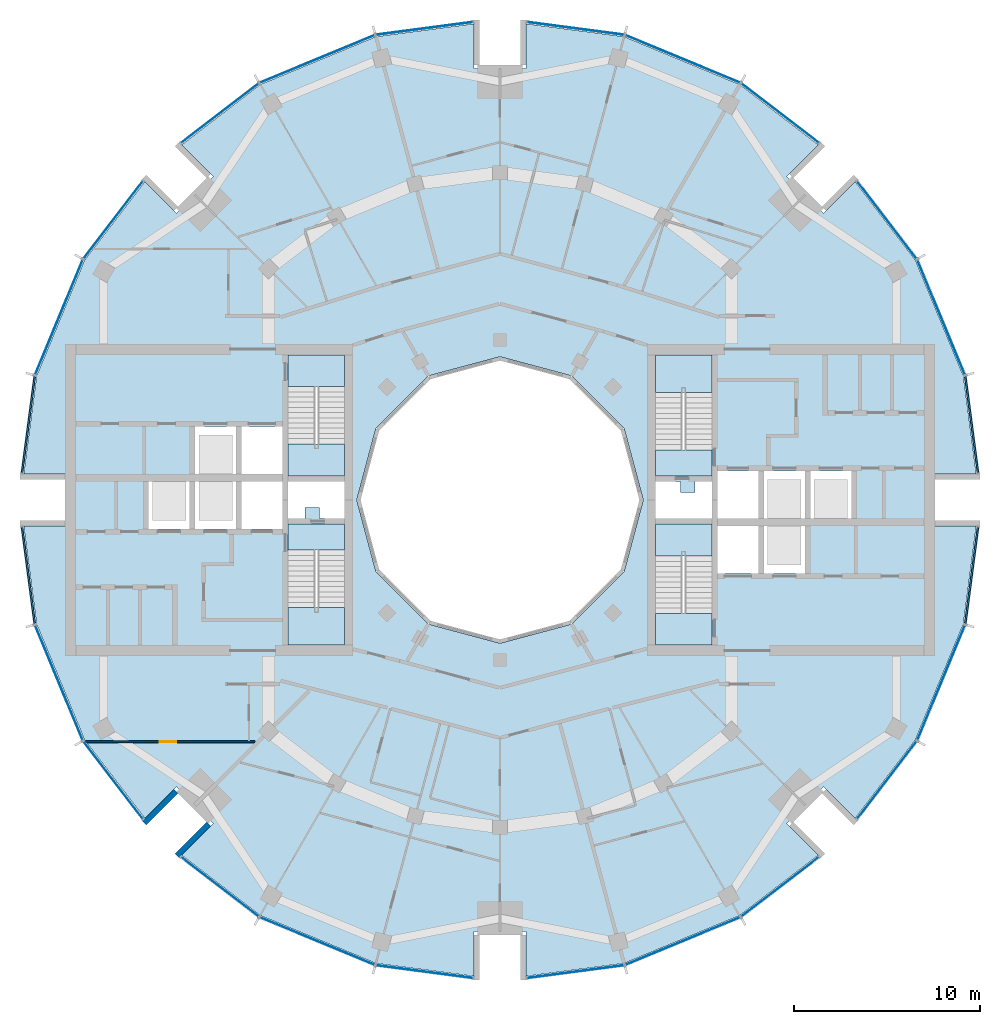
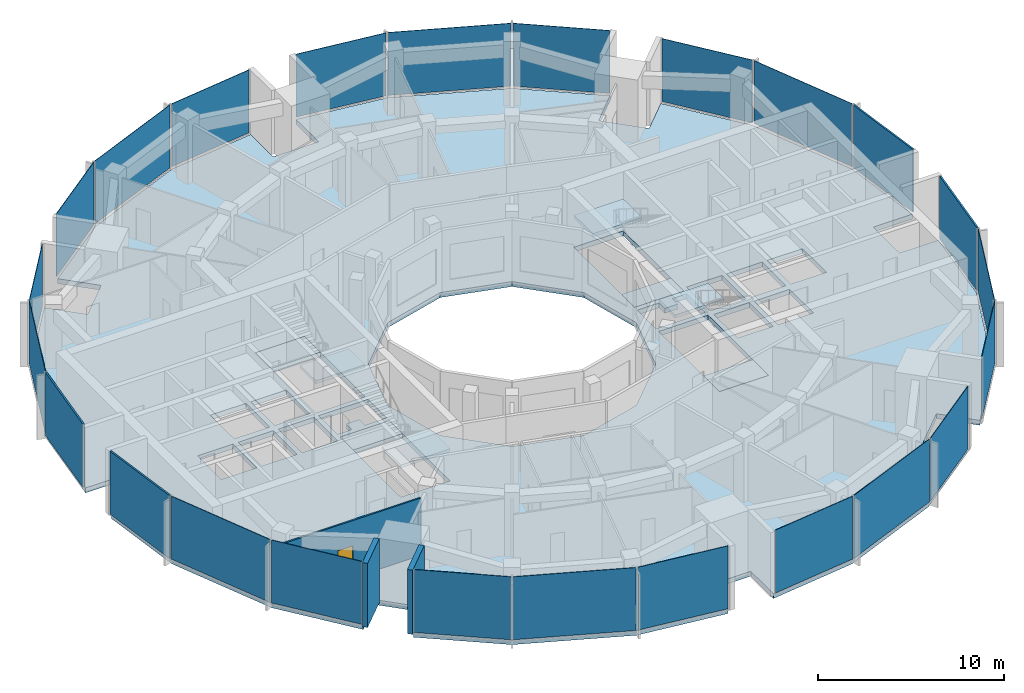
# One storey, part 7 of 15: 24 plates, 9 slabs, 3 walls, 1 door, 1 opening, 28 elements without a shape of their own.
"""IFC4 building model written with IfcOpenShell, lengths in metres."""

from ifc_helpers import new_model, si_unit, direction, frame, frame_2d, origin, origin_2d, place, context, subcontext, project, spatial, polyline, rectangle, outline, extrude, material, layer, layer_set, type_object, element, fill, aggregate, save


model = new_model("IFC4")

# Units and contexts
model_context = context("Model", 3, precision=1e-05, world=origin(), true_north=direction((0.0, 1.0)))
body_context = subcontext(model_context, "Body", "Model", "MODEL_VIEW")
ifc_project = project(units=[si_unit("LENGTHUNIT", "METRE"), si_unit("AREAUNIT", "SQUARE_METRE"), si_unit("VOLUMEUNIT", "CUBIC_METRE"), si_unit("PLANEANGLEUNIT", "RADIAN"), si_unit("MASSUNIT", "GRAM", prefix="KILO")], contexts=[model_context])

# Site, building, storey
site_placement = place(None, origin())
site = spatial("IfcSite", under=ifc_project, at=site_placement, CompositionType="ELEMENT")
building_placement = place(site_placement, origin())
building = spatial("IfcBuilding", under=site, at=building_placement, Name="Torre Brocal", CompositionType="ELEMENT")
storey_placement = place(building_placement, frame((0.0, 0.0, 249.89990234375)))
storey = spatial("IfcBuildingStorey", under=building, at=storey_placement, Name="L57", CompositionType="ELEMENT", Elevation=249.89990234375)

# Curtain wall, plate
ifc_material_1 = material(Name="Aluminium and glass", Category="aluminium")
ifc_layer_1 = layer(ifc_material_1, 0.199951171875)
ifc_layer_set_1 = layer_set([ifc_layer_1], Name="Aluminium and glass")
curtain_wall_type_1 = type_object("IfcCurtainWallType", Name="CW-1 CURTAIN WALL 4200 HIGH", PredefinedType="NOTDEFINED", material=ifc_layer_set_1)
curtain_wall_1_placement = place(storey_placement, origin())
curtain_wall_1 = element("IfcCurtainWall", 1, at=curtain_wall_1_placement, inside=storey, type_object=curtain_wall_type_1, Name="CW-1 RUN 2", PredefinedType="NOTDEFINED")
ifc_material_2 = material(Name="Glass, dark tinted laminated", Category="glass")
ifc_layer_2 = layer(ifc_material_2, 0.031982421875)
ifc_layer_set_2 = layer_set([ifc_layer_2], Name="Glass, dark tinted laminated")
plate_type_1 = type_object("IfcPlateType", Name="CW-1 GLASS PANEL 32", PredefinedType="CURTAIN_PANEL", material=ifc_layer_set_2)
plate_1_placement = place(storey_placement, frame((103.722900390625, 84.826416015625, 0.080078125), z_axis=(0.0, 0.0, 1.0), x_axis=(-0.382683432333, 0.923879532525, 0.0)))
plate_1 = element("IfcPlate", 2, at=plate_1_placement, type_object=plate_type_1, Name="CW1-5 panel 1.1", PredefinedType="CURTAIN_PANEL", context=body_context, shape_type="SweptSolid", body=[
    extrude(rectangle(XDim=6.64111328125, YDim=0.031982421875, at=origin_2d()), origin(), (0.0, 0.0, 1.0), 4.1201171875),
])
aggregate(curtain_wall_1, [plate_1])

curtain_wall_2_placement = place(storey_placement, origin())
curtain_wall_2 = element("IfcCurtainWall", 3, at=curtain_wall_2_placement, inside=storey, type_object=curtain_wall_type_1, Name="CW-1 RUN 3", PredefinedType="NOTDEFINED")
plate_2_placement = place(storey_placement, frame((100.80126953125, 90.0712890625, 0.080078125), z_axis=(0.0, 0.0, 1.0), x_axis=(-0.60876142905, 0.793353340259, 0.0)))
plate_2 = element("IfcPlate", 4, at=plate_2_placement, type_object=plate_type_1, Name="CW1-5 panel 1.1", PredefinedType="CURTAIN_PANEL", context=body_context, shape_type="SweptSolid", body=[
    extrude(rectangle(XDim=5.22900390625, YDim=0.031982421875, at=origin_2d()), origin(), (0.0, 0.0, 1.0), 4.1201171875),
])
aggregate(curtain_wall_2, [plate_2])

curtain_wall_3_placement = place(storey_placement, origin())
curtain_wall_3 = element("IfcCurtainWall", 5, at=curtain_wall_3_placement, inside=storey, type_object=curtain_wall_type_1, Name="CW-1 RUN 4", PredefinedType="NOTDEFINED")
plate_3_placement = place(storey_placement, frame((95.0712890625, 95.80126953125, 0.080078125), z_axis=(0.0, 0.0, 1.0), x_axis=(-0.793353340259, 0.60876142905, 0.0)))
plate_3 = element("IfcPlate", 6, at=plate_3_placement, type_object=plate_type_1, Name="CW1-5 panel 1.1", PredefinedType="CURTAIN_PANEL", context=body_context, shape_type="SweptSolid", body=[
    extrude(rectangle(XDim=5.22900390625, YDim=0.031982421875, at=origin_2d()), origin(), (0.0, 0.0, 1.0), 4.1201171875),
])
aggregate(curtain_wall_3, [plate_3])

curtain_wall_4_placement = place(storey_placement, origin())
curtain_wall_4 = element("IfcCurtainWall", 7, at=curtain_wall_4_placement, inside=storey, type_object=curtain_wall_type_1, Name="CW-1 RUN 5", PredefinedType="NOTDEFINED")
plate_4_placement = place(storey_placement, frame((89.826416015625, 98.722900390625, 0.080078125), z_axis=(0.0, 0.0, 1.0), x_axis=(-0.923879532525, 0.382683432333, 0.0)))
plate_4 = element("IfcPlate", 8, at=plate_4_placement, type_object=plate_type_1, Name="CW1-5 panel 1.1", PredefinedType="CURTAIN_PANEL", context=body_context, shape_type="SweptSolid", body=[
    extrude(rectangle(XDim=6.64111328125, YDim=0.031982421875, at=origin_2d()), origin(), (0.0, 0.0, 1.0), 4.1201171875),
])
aggregate(curtain_wall_4, [plate_4])

curtain_wall_5_placement = place(storey_placement, origin())
curtain_wall_5 = element("IfcCurtainWall", 9, at=curtain_wall_5_placement, inside=storey, type_object=curtain_wall_type_1, Name="CW-1 RUN 6", PredefinedType="NOTDEFINED")
plate_5_placement = place(storey_placement, frame((84.051513671875, 100.36572265625, 0.080078125), z_axis=(0.0, 0.0, 1.0), x_axis=(-0.991444861374, 0.13052619222, 0.0)))
plate_5 = element("IfcPlate", 10, at=plate_5_placement, type_object=plate_type_1, Name="CW1-5 panel 1.1", PredefinedType="CURTAIN_PANEL", context=body_context, shape_type="SweptSolid", body=[
    extrude(rectangle(XDim=5.22900390625, YDim=0.031982421875, at=origin_2d()), origin(), (0.0, 0.0, 1.0), 4.1201171875),
])
aggregate(curtain_wall_5, [plate_5])

curtain_wall_6_placement = place(storey_placement, origin())
curtain_wall_6 = element("IfcCurtainWall", 11, at=curtain_wall_6_placement, inside=storey, type_object=curtain_wall_type_1, Name="CW-1 RUN 7", PredefinedType="NOTDEFINED")
plate_6_placement = place(storey_placement, frame((75.948486328125, 100.36572265625, 0.080078125), z_axis=(0.0, 0.0, 1.0), x_axis=(-0.991444861374, -0.13052619222, 0.0)))
plate_6 = element("IfcPlate", 12, at=plate_6_placement, type_object=plate_type_1, Name="CW1-5 panel 1.1", PredefinedType="CURTAIN_PANEL", context=body_context, shape_type="SweptSolid", body=[
    extrude(rectangle(XDim=5.22900390625, YDim=0.031982421875, at=origin_2d()), origin(), (0.0, 0.0, 1.0), 4.1201171875),
])
aggregate(curtain_wall_6, [plate_6])

curtain_wall_7_placement = place(storey_placement, origin())
curtain_wall_7 = element("IfcCurtainWall", 13, at=curtain_wall_7_placement, inside=storey, type_object=curtain_wall_type_1, Name="CW-1 RUN 8", PredefinedType="NOTDEFINED")
plate_7_placement = place(storey_placement, frame((70.173583984375, 98.722900390625, 0.080078125), z_axis=(0.0, 0.0, 1.0), x_axis=(-0.923879532525, -0.382683432333, 0.0)))
plate_7 = element("IfcPlate", 14, at=plate_7_placement, type_object=plate_type_1, Name="CW1-5 panel 1.1", PredefinedType="CURTAIN_PANEL", context=body_context, shape_type="SweptSolid", body=[
    extrude(rectangle(XDim=6.64111328125, YDim=0.031982421875, at=origin_2d()), origin(), (0.0, 0.0, 1.0), 4.1201171875),
])
aggregate(curtain_wall_7, [plate_7])

curtain_wall_8_placement = place(storey_placement, origin())
curtain_wall_8 = element("IfcCurtainWall", 15, at=curtain_wall_8_placement, inside=storey, type_object=curtain_wall_type_1, Name="CW-1 RUN 9", PredefinedType="NOTDEFINED")
plate_8_placement = place(storey_placement, frame((64.9287109375, 95.80126953125, 0.080078125), z_axis=(0.0, 0.0, 1.0), x_axis=(-0.793353340259, -0.60876142905, 0.0)))
plate_8 = element("IfcPlate", 16, at=plate_8_placement, type_object=plate_type_1, Name="CW1-5 panel 1.1", PredefinedType="CURTAIN_PANEL", context=body_context, shape_type="SweptSolid", body=[
    extrude(rectangle(XDim=5.22900390625, YDim=0.031982421875, at=origin_2d()), origin(), (0.0, 0.0, 1.0), 4.1201171875),
])
aggregate(curtain_wall_8, [plate_8])

curtain_wall_9_placement = place(storey_placement, origin())
curtain_wall_9 = element("IfcCurtainWall", 17, at=curtain_wall_9_placement, inside=storey, type_object=curtain_wall_type_1, Name="CW-1 RUN 10", PredefinedType="NOTDEFINED")
plate_9_placement = place(storey_placement, frame((59.19873046875, 90.0712890625, 0.080078125), z_axis=(0.0, 0.0, 1.0), x_axis=(-0.60876142905, -0.793353340259, 0.0)))
plate_9 = element("IfcPlate", 18, at=plate_9_placement, type_object=plate_type_1, Name="CW1-5 panel 1.1", PredefinedType="CURTAIN_PANEL", context=body_context, shape_type="SweptSolid", body=[
    extrude(rectangle(XDim=5.22900390625, YDim=0.031982421875, at=origin_2d()), origin(), (0.0, 0.0, 1.0), 4.1201171875),
])
aggregate(curtain_wall_9, [plate_9])

curtain_wall_10_placement = place(storey_placement, origin())
curtain_wall_10 = element("IfcCurtainWall", 19, at=curtain_wall_10_placement, inside=storey, type_object=curtain_wall_type_1, Name="CW-1 RUN 11", PredefinedType="NOTDEFINED")
plate_10_placement = place(storey_placement, frame((56.277099609375, 84.826416015625, 0.080078125), z_axis=(0.0, 0.0, 1.0), x_axis=(-0.382683432333, -0.923879532525, 0.0)))
plate_10 = element("IfcPlate", 20, at=plate_10_placement, type_object=plate_type_1, Name="CW1-5 panel 1.1", PredefinedType="CURTAIN_PANEL", context=body_context, shape_type="SweptSolid", body=[
    extrude(rectangle(XDim=6.64111328125, YDim=0.031982421875, at=origin_2d()), origin(), (0.0, 0.0, 1.0), 4.1201171875),
])
aggregate(curtain_wall_10, [plate_10])

curtain_wall_11_placement = place(storey_placement, origin())
curtain_wall_11 = element("IfcCurtainWall", 21, at=curtain_wall_11_placement, inside=storey, type_object=curtain_wall_type_1, Name="CW-1 RUN 14", PredefinedType="NOTDEFINED")
plate_11_placement = place(storey_placement, frame((56.277099609375, 65.173583984375, 0.080078125), z_axis=(0.0, 0.0, 1.0), x_axis=(0.382683432333, -0.923879532525, 0.0)))
plate_11 = element("IfcPlate", 22, at=plate_11_placement, type_object=plate_type_1, Name="CW1-5 panel 1.1", PredefinedType="CURTAIN_PANEL", context=body_context, shape_type="SweptSolid", body=[
    extrude(rectangle(XDim=6.64111328125, YDim=0.031982421875, at=origin_2d()), origin(), (0.0, 0.0, 1.0), 4.1201171875),
])
aggregate(curtain_wall_11, [plate_11])

curtain_wall_12_placement = place(storey_placement, origin())
curtain_wall_12 = element("IfcCurtainWall", 23, at=curtain_wall_12_placement, inside=storey, type_object=curtain_wall_type_1, Name="CW-1 RUN 15", PredefinedType="NOTDEFINED")
plate_12_placement = place(storey_placement, frame((59.19873046875, 59.9287109375, 0.080078125), z_axis=(0.0, 0.0, 1.0), x_axis=(0.60876142905, -0.793353340259, 0.0)))
plate_12 = element("IfcPlate", 24, at=plate_12_placement, type_object=plate_type_1, Name="CW1-5 panel 1.1", PredefinedType="CURTAIN_PANEL", context=body_context, shape_type="SweptSolid", body=[
    extrude(rectangle(XDim=5.22900390625, YDim=0.031982421875, at=origin_2d()), origin(), (0.0, 0.0, 1.0), 4.1201171875),
])
aggregate(curtain_wall_12, [plate_12])

curtain_wall_13_placement = place(storey_placement, origin())
curtain_wall_13 = element("IfcCurtainWall", 25, at=curtain_wall_13_placement, inside=storey, type_object=curtain_wall_type_1, Name="CW-1 RUN 16", PredefinedType="NOTDEFINED")
plate_13_placement = place(storey_placement, frame((64.9287109375, 54.19873046875, 0.080078125), z_axis=(0.0, 0.0, 1.0), x_axis=(0.793353340259, -0.60876142905, 0.0)))
plate_13 = element("IfcPlate", 26, at=plate_13_placement, type_object=plate_type_1, Name="CW1-5 panel 1.1", PredefinedType="CURTAIN_PANEL", context=body_context, shape_type="SweptSolid", body=[
    extrude(rectangle(XDim=5.22900390625, YDim=0.031982421875, at=origin_2d()), origin(), (0.0, 0.0, 1.0), 4.1201171875),
])
aggregate(curtain_wall_13, [plate_13])

curtain_wall_14_placement = place(storey_placement, origin())
curtain_wall_14 = element("IfcCurtainWall", 27, at=curtain_wall_14_placement, inside=storey, type_object=curtain_wall_type_1, Name="CW-1 RUN 17", PredefinedType="NOTDEFINED")
plate_14_placement = place(storey_placement, frame((70.173583984375, 51.277099609375, 0.080078125), z_axis=(0.0, 0.0, 1.0), x_axis=(0.923879532525, -0.382683432333, 0.0)))
plate_14 = element("IfcPlate", 28, at=plate_14_placement, type_object=plate_type_1, Name="CW1-5 panel 1.1", PredefinedType="CURTAIN_PANEL", context=body_context, shape_type="SweptSolid", body=[
    extrude(rectangle(XDim=6.64111328125, YDim=0.031982421875, at=origin_2d()), origin(), (0.0, 0.0, 1.0), 4.1201171875),
])
aggregate(curtain_wall_14, [plate_14])

curtain_wall_15_placement = place(storey_placement, origin())
curtain_wall_15 = element("IfcCurtainWall", 29, at=curtain_wall_15_placement, inside=storey, type_object=curtain_wall_type_1, Name="CW-1 RUN 18", PredefinedType="NOTDEFINED")
plate_15_placement = place(storey_placement, frame((75.948486328125, 49.63427734375, 0.080078125), z_axis=(0.0, 0.0, 1.0), x_axis=(0.991444861374, -0.13052619222, 0.0)))
plate_15 = element("IfcPlate", 30, at=plate_15_placement, type_object=plate_type_1, Name="CW1-5 panel 1.1", PredefinedType="CURTAIN_PANEL", context=body_context, shape_type="SweptSolid", body=[
    extrude(rectangle(XDim=5.22900390625, YDim=0.031982421875, at=origin_2d()), origin(), (0.0, 0.0, 1.0), 4.1201171875),
])
aggregate(curtain_wall_15, [plate_15])

curtain_wall_16_placement = place(storey_placement, origin())
curtain_wall_16 = element("IfcCurtainWall", 31, at=curtain_wall_16_placement, inside=storey, type_object=curtain_wall_type_1, Name="CW-1 RUN 19", PredefinedType="NOTDEFINED")
plate_16_placement = place(storey_placement, frame((84.051513671875, 49.63427734375, 0.080078125), z_axis=(0.0, 0.0, 1.0), x_axis=(0.991444861374, 0.13052619222, 0.0)))
plate_16 = element("IfcPlate", 32, at=plate_16_placement, type_object=plate_type_1, Name="CW1-5 panel 1.1", PredefinedType="CURTAIN_PANEL", context=body_context, shape_type="SweptSolid", body=[
    extrude(rectangle(XDim=5.22900390625, YDim=0.031982421875, at=origin_2d()), origin(), (0.0, 0.0, 1.0), 4.1201171875),
])
aggregate(curtain_wall_16, [plate_16])

curtain_wall_17_placement = place(storey_placement, origin())
curtain_wall_17 = element("IfcCurtainWall", 33, at=curtain_wall_17_placement, inside=storey, type_object=curtain_wall_type_1, Name="CW-1 RUN 20", PredefinedType="NOTDEFINED")
plate_17_placement = place(storey_placement, frame((89.826416015625, 51.277099609375, 0.080078125), z_axis=(0.0, 0.0, 1.0), x_axis=(0.923879532525, 0.382683432333, 0.0)))
plate_17 = element("IfcPlate", 34, at=plate_17_placement, type_object=plate_type_1, Name="CW1-5 panel 1.1", PredefinedType="CURTAIN_PANEL", context=body_context, shape_type="SweptSolid", body=[
    extrude(rectangle(XDim=6.64111328125, YDim=0.031982421875, at=origin_2d()), origin(), (0.0, 0.0, 1.0), 4.1201171875),
])
aggregate(curtain_wall_17, [plate_17])

curtain_wall_18_placement = place(storey_placement, origin())
curtain_wall_18 = element("IfcCurtainWall", 35, at=curtain_wall_18_placement, inside=storey, type_object=curtain_wall_type_1, Name="CW-1 RUN 21", PredefinedType="NOTDEFINED")
plate_18_placement = place(storey_placement, frame((95.0712890625, 54.19873046875, 0.080078125), z_axis=(0.0, 0.0, 1.0), x_axis=(0.793353340259, 0.60876142905, 0.0)))
plate_18 = element("IfcPlate", 36, at=plate_18_placement, type_object=plate_type_1, Name="CW1-5 panel 1.1", PredefinedType="CURTAIN_PANEL", context=body_context, shape_type="SweptSolid", body=[
    extrude(rectangle(XDim=5.22900390625, YDim=0.031982421875, at=origin_2d()), origin(), (0.0, 0.0, 1.0), 4.1201171875),
])
aggregate(curtain_wall_18, [plate_18])

curtain_wall_19_placement = place(storey_placement, origin())
curtain_wall_19 = element("IfcCurtainWall", 37, at=curtain_wall_19_placement, inside=storey, type_object=curtain_wall_type_1, Name="CW-1 RUN 22", PredefinedType="NOTDEFINED")
plate_19_placement = place(storey_placement, frame((100.80126953125, 59.9287109375, 0.080078125), z_axis=(0.0, 0.0, 1.0), x_axis=(0.60876142905, 0.793353340259, 0.0)))
plate_19 = element("IfcPlate", 38, at=plate_19_placement, type_object=plate_type_1, Name="CW1-5 panel 1.1", PredefinedType="CURTAIN_PANEL", context=body_context, shape_type="SweptSolid", body=[
    extrude(rectangle(XDim=5.22900390625, YDim=0.031982421875, at=origin_2d()), origin(), (0.0, 0.0, 1.0), 4.1201171875),
])
aggregate(curtain_wall_19, [plate_19])

curtain_wall_20_placement = place(storey_placement, origin())
curtain_wall_20 = element("IfcCurtainWall", 39, at=curtain_wall_20_placement, inside=storey, type_object=curtain_wall_type_1, Name="CW-1 RUN 23", PredefinedType="NOTDEFINED")
plate_20_placement = place(storey_placement, frame((103.722900390625, 65.173583984375, 0.080078125), z_axis=(0.0, 0.0, 1.0), x_axis=(0.382683432333, 0.923879532525, 0.0)))
plate_20 = element("IfcPlate", 40, at=plate_20_placement, type_object=plate_type_1, Name="CW1-5 panel 1.1", PredefinedType="CURTAIN_PANEL", context=body_context, shape_type="SweptSolid", body=[
    extrude(rectangle(XDim=6.64111328125, YDim=0.031982421875, at=origin_2d()), origin(), (0.0, 0.0, 1.0), 4.1201171875),
])
aggregate(curtain_wall_20, [plate_20])

ifc_material_3 = material(Name="Aluminium and glass", Category="aluminium")
ifc_layer_3 = layer(ifc_material_3, 0.199951171875)
ifc_layer_set_3 = layer_set([ifc_layer_3], Name="Aluminium and glass")
curtain_wall_type_2 = type_object("IfcCurtainWallType", Name="CW-1B CURTAIN WALL 4200 HIGH", PredefinedType="NOTDEFINED", material=ifc_layer_set_3)
curtain_wall_21_placement = place(storey_placement, origin())
curtain_wall_21 = element("IfcCurtainWall", 41, at=curtain_wall_21_placement, inside=storey, type_object=curtain_wall_type_2, Name="CW-1B RUN 1", PredefinedType="NOTDEFINED")
ifc_material_4 = material(Name="Aluminium composite panel", Category="aluminium")
ifc_layer_4 = layer(ifc_material_4, 0.10009765625)
ifc_layer_set_4 = layer_set([ifc_layer_4], Name="Aluminium composite panel")
plate_type_2 = type_object("IfcPlateType", Name="CW-1B OPAQUE PANEL 100", PredefinedType="CURTAIN_PANEL", material=ifc_layer_set_4)
plate_21_placement = place(storey_placement, frame((105.36572265625, 79.051513671875, 0.080078125), z_axis=(0.0, 0.0, 1.0), x_axis=(-0.13052619222, 0.991444861374, 0.0)))
plate_21 = element("IfcPlate", 42, at=plate_21_placement, type_object=plate_type_2, Name="CW1B-5 panel 1.1", PredefinedType="CURTAIN_PANEL", context=body_context, shape_type="SweptSolid", body=[
    extrude(rectangle(XDim=5.22900390625, YDim=0.10009765625, at=origin_2d()), origin(), (0.0, 0.0, 1.0), 4.1201171875),
])
aggregate(curtain_wall_21, [plate_21])

curtain_wall_22_placement = place(storey_placement, origin())
curtain_wall_22 = element("IfcCurtainWall", 43, at=curtain_wall_22_placement, inside=storey, type_object=curtain_wall_type_2, Name="CW-1B RUN 12", PredefinedType="NOTDEFINED")
plate_22_placement = place(storey_placement, frame((54.63427734375, 79.051513671875, 0.080078125), z_axis=(0.0, 0.0, 1.0), x_axis=(-0.13052619222, -0.991444861374, 0.0)))
plate_22 = element("IfcPlate", 44, at=plate_22_placement, type_object=plate_type_2, Name="CW1B-5 panel 1.1", PredefinedType="CURTAIN_PANEL", context=body_context, shape_type="SweptSolid", body=[
    extrude(rectangle(XDim=5.22900390625, YDim=0.10009765625, at=origin_2d()), origin(), (0.0, 0.0, 1.0), 4.1201171875),
])
aggregate(curtain_wall_22, [plate_22])

curtain_wall_23_placement = place(storey_placement, origin())
curtain_wall_23 = element("IfcCurtainWall", 45, at=curtain_wall_23_placement, inside=storey, type_object=curtain_wall_type_2, Name="CW-1B RUN 13", PredefinedType="NOTDEFINED")
plate_23_placement = place(storey_placement, frame((54.63427734375, 70.948486328125, 0.080078125), z_axis=(0.0, 0.0, 1.0), x_axis=(0.13052619222, -0.991444861374, 0.0)))
plate_23 = element("IfcPlate", 46, at=plate_23_placement, type_object=plate_type_2, Name="CW1B-5 panel 1.1", PredefinedType="CURTAIN_PANEL", context=body_context, shape_type="SweptSolid", body=[
    extrude(rectangle(XDim=5.22900390625, YDim=0.10009765625, at=origin_2d()), origin(), (0.0, 0.0, 1.0), 4.1201171875),
])
aggregate(curtain_wall_23, [plate_23])

curtain_wall_24_placement = place(storey_placement, origin())
curtain_wall_24 = element("IfcCurtainWall", 47, at=curtain_wall_24_placement, inside=storey, type_object=curtain_wall_type_2, Name="CW-1B RUN 24", PredefinedType="NOTDEFINED")
plate_24_placement = place(storey_placement, frame((105.36572265625, 70.948486328125, 0.080078125), z_axis=(0.0, 0.0, 1.0), x_axis=(0.13052619222, 0.991444861374, 0.0)))
plate_24 = element("IfcPlate", 48, at=plate_24_placement, type_object=plate_type_2, Name="CW1B-5 panel 1.1", PredefinedType="CURTAIN_PANEL", context=body_context, shape_type="SweptSolid", body=[
    extrude(rectangle(XDim=5.22900390625, YDim=0.10009765625, at=origin_2d()), origin(), (0.0, 0.0, 1.0), 4.1201171875),
])
aggregate(curtain_wall_24, [plate_24])

# Stair, slab
ifc_material_5 = material(Name="Concrete C50", Category="concrete")
stair_type = type_object("IfcStairType", Name="EXIT STAIR", PredefinedType="HALF_TURN_STAIR", material=ifc_material_5)
stair_1_placement = place(storey_placement, origin())
stair_1 = element("IfcStair", 49, at=stair_1_placement, inside=storey, type_object=stair_type, Name="EXIT STAIR ST1", PredefinedType="HALF_TURN_STAIR")
ifc_material_6 = material(Name="Concrete C50", Category="concrete")
ifc_layer_5 = layer(ifc_material_6, 0.320068359375)
ifc_layer_set_5 = layer_set([ifc_layer_5], Name="Concrete C50")
slab_type_1 = type_object("IfcSlabType", Name="FLOOR LANDING 320", PredefinedType="LANDING", material=ifc_layer_set_5)
slab_1_placement = place(storey_placement, frame((0.0, 0.0, -0.31982421875)))
slab_1 = element("IfcSlab", 50, at=slab_1_placement, type_object=slab_type_1, Name="ST1 landing 1", PredefinedType="LANDING", context=body_context, shape_type="SweptSolid", body=[
    extrude(outline(polyline([(88.35009765625, 76.300048828125), (91.39990234375, 76.300048828125), (91.39990234375, 77.699951171875), (88.35009765625, 77.699951171875), (88.35009765625, 76.300048828125)])), origin(), (0.0, 0.0, 1.0), 0.31982421875),
])

stair_2_placement = place(storey_placement, origin())
stair_2 = element("IfcStair", 51, at=stair_2_placement, inside=storey, type_object=stair_type, Name="EXIT STAIR ST2", PredefinedType="HALF_TURN_STAIR")
slab_2_placement = place(storey_placement, frame((0.0, 0.0, -0.31982421875)))
slab_2 = element("IfcSlab", 52, at=slab_2_placement, type_object=slab_type_1, Name="ST2 landing 1", PredefinedType="LANDING", context=body_context, shape_type="SweptSolid", body=[
    extrude(outline(polyline([(88.35009765625, 67.199951171875), (91.39990234375, 67.199951171875), (91.39990234375, 68.89990234375), (88.35009765625, 68.89990234375), (88.35009765625, 67.199951171875)])), origin(), (0.0, 0.0, 1.0), 0.31982421875),
])

stair_3_placement = place(storey_placement, origin())
stair_3 = element("IfcStair", 53, at=stair_3_placement, inside=storey, type_object=stair_type, Name="EXIT STAIR ST3", PredefinedType="HALF_TURN_STAIR")
slab_3_placement = place(storey_placement, frame((0.0, 0.0, -0.31982421875)))
slab_3 = element("IfcSlab", 54, at=slab_3_placement, type_object=slab_type_1, Name="ST3 landing 1", PredefinedType="LANDING", context=body_context, shape_type="SweptSolid", body=[
    extrude(outline(polyline([(71.64990234375, 73.699951171875), (68.60009765625, 73.699951171875), (68.60009765625, 72.300048828125), (71.64990234375, 72.300048828125), (71.64990234375, 73.699951171875)])), origin(), (0.0, 0.0, 1.0), 0.31982421875),
])

stair_4_placement = place(storey_placement, origin())
stair_4 = element("IfcStair", 55, at=stair_4_placement, inside=storey, type_object=stair_type, Name="EXIT STAIR ST4", PredefinedType="HALF_TURN_STAIR")
slab_4_placement = place(storey_placement, frame((0.0, 0.0, -0.31982421875)))
slab_4 = element("IfcSlab", 56, at=slab_4_placement, type_object=slab_type_1, Name="ST4 landing 1", PredefinedType="LANDING", context=body_context, shape_type="SweptSolid", body=[
    extrude(outline(polyline([(71.64990234375, 82.800048828125), (68.60009765625, 82.800048828125), (68.60009765625, 81.10009765625), (71.64990234375, 81.10009765625), (71.64990234375, 82.800048828125)])), origin(), (0.0, 0.0, 1.0), 0.31982421875),
])

# Slab
ifc_material_7 = material(Name="Concrete C50", Category="concrete")
ifc_layer_6 = layer(ifc_material_7, 0.199951171875)
ifc_layer_set_6 = layer_set([ifc_layer_6], Name="Concrete C50")
slab_type_2 = type_object("IfcSlabType", Name="MID LANDING +2100", PredefinedType="LANDING", material=ifc_layer_set_6)
slab_5_placement = place(storey_placement, frame((0.0, 0.0, 1.900146484375)))
slab_5 = element("IfcSlab", 57, at=slab_5_placement, type_object=slab_type_2, Name="ST1 landing 2", PredefinedType="LANDING", context=body_context, shape_type="SweptSolid", body=[
    extrude(outline(polyline([(88.35009765625, 80.780029296875), (91.39990234375, 80.780029296875), (91.39990234375, 82.800048828125), (88.35009765625, 82.800048828125), (88.35009765625, 80.780029296875)])), origin(), (0.0, 0.0, 1.0), 0.199951171875),
])

aggregate(stair_1, [slab_1, slab_5])

slab_6_placement = place(storey_placement, frame((0.0, 0.0, 1.900146484375)))
slab_6 = element("IfcSlab", 58, at=slab_6_placement, type_object=slab_type_2, Name="ST2 landing 2", PredefinedType="LANDING", context=body_context, shape_type="SweptSolid", body=[
    extrude(outline(polyline([(88.35009765625, 71.97998046875), (91.39990234375, 71.97998046875), (91.39990234375, 73.699951171875), (88.35009765625, 73.699951171875), (88.35009765625, 71.97998046875)])), origin(), (0.0, 0.0, 1.0), 0.199951171875),
])

aggregate(stair_2, [slab_2, slab_6])

slab_7_placement = place(storey_placement, frame((0.0, 0.0, 1.900146484375)))
slab_7 = element("IfcSlab", 59, at=slab_7_placement, type_object=slab_type_2, Name="ST3 landing 2", PredefinedType="LANDING", context=body_context, shape_type="SweptSolid", body=[
    extrude(outline(polyline([(71.64990234375, 69.219970703125), (68.60009765625, 69.219970703125), (68.60009765625, 67.199951171875), (71.64990234375, 67.199951171875), (71.64990234375, 69.219970703125)])), origin(), (0.0, 0.0, 1.0), 0.199951171875),
])

aggregate(stair_3, [slab_3, slab_7])

slab_8_placement = place(storey_placement, frame((0.0, 0.0, 1.900146484375)))
slab_8 = element("IfcSlab", 60, at=slab_8_placement, type_object=slab_type_2, Name="ST4 landing 2", PredefinedType="LANDING", context=body_context, shape_type="SweptSolid", body=[
    extrude(outline(polyline([(71.64990234375, 78.02001953125), (68.60009765625, 78.02001953125), (68.60009765625, 76.300048828125), (71.64990234375, 76.300048828125), (71.64990234375, 78.02001953125)])), origin(), (0.0, 0.0, 1.0), 0.199951171875),
])

aggregate(stair_4, [slab_4, slab_8])

ifc_material_8 = material(Name="Concrete C45", Category="concrete")
ifc_layer_7 = layer(ifc_material_8, 0.320068359375)
ifc_layer_set_7 = layer_set([ifc_layer_7], Name="Concrete C45")
slab_type_3 = type_object("IfcSlabType", Name="PT FLOOR SLAB 320 C45", PredefinedType="FLOOR", material=ifc_layer_set_7)
slab_9_placement = place(storey_placement, frame((0.0, 0.0, -0.31982421875)))
element("IfcSlab", 61, at=slab_9_placement, inside=storey, type_object=slab_type_3, Name="Slab ST-05", PredefinedType="FLOOR", context=body_context, shape_type="SweptSolid", body=[
    extrude(outline(polyline([(103.199951171875, 76.39990234375), (103.199951171875, 73.60009765625), (105.614013671875, 73.60009765625), (104.919189453125, 68.322998046875), (102.342041015625, 62.100830078125), (99.101806640625, 57.878173828125), (97.394775390625, 59.5849609375), (95.4150390625, 57.605224609375), (97.121826171875, 55.898193359375), (92.899169921875, 52.657958984375), (86.677001953125, 50.080810546875), (81.39990234375, 49.385986328125), (81.39990234375, 51.800048828125), (78.60009765625, 51.800048828125), (78.60009765625, 49.385986328125), (73.322998046875, 50.080810546875), (67.100830078125, 52.657958984375), (62.878173828125, 55.898193359375), (64.5849609375, 57.605224609375), (62.605224609375, 59.5849609375), (60.898193359375, 57.878173828125), (57.657958984375, 62.100830078125), (55.080810546875, 68.322998046875), (54.385986328125, 73.60009765625), (56.800048828125, 73.60009765625), (56.800048828125, 76.39990234375), (54.385986328125, 76.39990234375), (55.080810546875, 81.677001953125), (57.657958984375, 87.899169921875), (60.898193359375, 92.121826171875), (62.605224609375, 90.4150390625), (64.5849609375, 92.394775390625), (62.878173828125, 94.101806640625), (67.100830078125, 97.342041015625), (73.322998046875, 99.919189453125), (78.60009765625, 100.614013671875), (78.60009765625, 98.199951171875), (81.39990234375, 98.199951171875), (81.39990234375, 100.614013671875), (86.677001953125, 99.919189453125), (92.899169921875, 97.342041015625), (97.121826171875, 94.101806640625), (95.4150390625, 92.394775390625), (97.394775390625, 90.4150390625), (99.101806640625, 92.121826171875), (102.342041015625, 87.899169921875), (104.919189453125, 81.677001953125), (105.614013671875, 76.39990234375), (103.199951171875, 76.39990234375)]), holes=[polyline([(98.89990234375, 76.550048828125), (96.699951171875, 76.550048828125), (96.699951171875, 74.0), (98.89990234375, 74.0), (98.89990234375, 76.550048828125)]), polyline([(96.39990234375, 76.550048828125), (94.199951171875, 76.550048828125), (94.199951171875, 74.0), (96.39990234375, 74.0), (96.39990234375, 76.550048828125)]), polyline([(96.39990234375, 73.60009765625), (94.199951171875, 73.60009765625), (94.199951171875, 71.050048828125), (96.39990234375, 71.050048828125), (96.39990234375, 73.60009765625)]), polyline([(93.89990234375, 76.550048828125), (91.699951171875, 76.550048828125), (91.699951171875, 74.0), (93.89990234375, 74.0), (93.89990234375, 76.550048828125)]), polyline([(93.89990234375, 73.60009765625), (91.699951171875, 73.60009765625), (91.699951171875, 71.050048828125), (93.89990234375, 71.050048828125), (93.89990234375, 73.60009765625)]), polyline([(89.699951171875, 76.0), (88.35009765625, 76.0), (88.35009765625, 74.0), (91.39990234375, 74.0), (91.39990234375, 76.0), (90.5, 76.0), (90.5, 75.39990234375), (89.699951171875, 75.39990234375), (89.699951171875, 76.0)]), polyline([(91.39990234375, 82.800048828125), (88.35009765625, 82.800048828125), (88.35009765625, 76.300048828125), (91.39990234375, 76.300048828125), (91.39990234375, 82.800048828125)]), polyline([(91.39990234375, 73.699951171875), (88.35009765625, 73.699951171875), (88.35009765625, 67.199951171875), (91.39990234375, 67.199951171875), (91.39990234375, 73.699951171875)]), polyline([(80.0, 82.70703125), (76.146484375, 81.674560546875), (73.325439453125, 78.853515625), (72.29296875, 75.0), (73.325439453125, 71.146484375), (76.146484375, 68.325439453125), (80.0, 67.29296875), (83.853515625, 68.325439453125), (86.674560546875, 71.146484375), (87.70703125, 75.0), (86.674560546875, 78.853515625), (83.853515625, 81.674560546875), (80.0, 82.70703125)]), polyline([(70.300048828125, 74.0), (71.64990234375, 74.0), (71.64990234375, 76.0), (68.60009765625, 76.0), (68.60009765625, 74.0), (69.5, 74.0), (69.5, 74.60009765625), (70.300048828125, 74.60009765625), (70.300048828125, 74.0)]), polyline([(68.60009765625, 76.300048828125), (71.64990234375, 76.300048828125), (71.64990234375, 82.800048828125), (68.60009765625, 82.800048828125), (68.60009765625, 76.300048828125)]), polyline([(68.60009765625, 67.199951171875), (71.64990234375, 67.199951171875), (71.64990234375, 73.699951171875), (68.60009765625, 73.699951171875), (68.60009765625, 67.199951171875)]), polyline([(66.10009765625, 76.39990234375), (68.300048828125, 76.39990234375), (68.300048828125, 78.949951171875), (66.10009765625, 78.949951171875), (66.10009765625, 76.39990234375)]), polyline([(66.10009765625, 73.449951171875), (68.300048828125, 73.449951171875), (68.300048828125, 76.0), (66.10009765625, 76.0), (66.10009765625, 73.449951171875)]), polyline([(63.60009765625, 76.39990234375), (65.800048828125, 76.39990234375), (65.800048828125, 78.949951171875), (63.60009765625, 78.949951171875), (63.60009765625, 76.39990234375)]), polyline([(63.60009765625, 73.449951171875), (65.800048828125, 73.449951171875), (65.800048828125, 76.0), (63.60009765625, 76.0), (63.60009765625, 73.449951171875)]), polyline([(61.10009765625, 73.449951171875), (63.300048828125, 73.449951171875), (63.300048828125, 76.0), (61.10009765625, 76.0), (61.10009765625, 73.449951171875)])]), origin(), (0.0, 0.0, 1.0), 0.31982421875),
])

# Walls
ifc_material_9 = material(Name="Concrete C60", Category="concrete")
ifc_layer_8 = layer(ifc_material_9, 0.300048828125)
ifc_layer_set_8 = layer_set([ifc_layer_8], Name="Concrete C60")
wall_type_1 = type_object("IfcWallType", Name="NOTCH RETURN WALL 300 C60", PredefinedType="NOTDEFINED", material=ifc_layer_set_8)
for number, where, z_axis, x_axis, name in (
    (62, (62.56982421875, 59.337646484375, 0.0), (0.0, 0.0, 1.0), (-0.707106781187, -0.707106781187, 0.0), "NOTCH RETURN WALL"),
    (63, (64.337646484375, 57.56982421875, 0.0), (0.0, 0.0, 1.0), (-0.707106781187, -0.707106781187, 0.0), "NOTCH RETURN WALL"),
):
    element("IfcWall", number, at=place(storey_placement, frame(where, z_axis=z_axis, x_axis=x_axis)), inside=storey, type_object=wall_type_1, Name=name, PredefinedType="NOTDEFINED", context=body_context, shape_type="SweptSolid", body=[
        extrude(rectangle(XDim=2.415771484375, YDim=0.300048828125, at=frame_2d((1.2080078125, 0.0))), origin(), (0.0, 0.0, 1.0), 4.2001953125),
    ])

# Wall, opening, door
ifc_material_10 = material(Name="Gypsum board", Category="Gypsum")
ifc_layer_9 = layer(ifc_material_10, 0.10009765625)
ifc_layer_set_9 = layer_set([ifc_layer_9], Name="Gypsum board")
wall_type_2 = type_object("IfcWallType", Name="PARTITION 100", PredefinedType="PARTITIONING", material=ifc_layer_set_9)
wall_placement = place(storey_placement, frame((57.668212890625, 62.0, 0.0), z_axis=(0.0, 0.0, 1.0), x_axis=(1.0, 0.0, 0.0)))
wall = element("IfcWall", 64, at=wall_placement, inside=storey, type_object=wall_type_2, Name="BATHROOM WALL", PredefinedType="PARTITIONING", context=body_context, shape_type="SweptSolid", body=[
    extrude(rectangle(XDim=9.15185546875, YDim=0.10009765625, at=frame_2d((4.575927734375, 0.0))), origin(), (0.0, 0.0, 1.0), 3.75),
])
opening_placement = place(wall_placement, frame((4.031494140625, 0.0, 0.0)))
opening = element("IfcOpeningElement", 65, at=opening_placement, cuts=wall, Name="Opening B04-D36", PredefinedType="OPENING", context=body_context, shape_type="SweptSolid", body=[
    extrude(rectangle(XDim=0.89990234375, YDim=2.10009765625, at=frame_2d((0.449951171875, 1.050048828125))), frame((0.0, 0.06005859375, 0.0), z_axis=(0.0, -1.0, 0.0), x_axis=(1.0, 0.0, 0.0)), (0.0, 0.0, 1.0), 0.1201171875),
])
ifc_material_11 = material(Name="Timber", Category="wood")
door_type = type_object("IfcDoorType", Name="ROOM DOOR 900X2100", OperationType="SINGLE_SWING_LEFT", PredefinedType="DOOR", material=ifc_material_11)
door_placement = place(opening_placement, origin())
door = element("IfcDoor", 66, at=door_placement, inside=storey, type_object=door_type, Name="B04-D36", OperationType="SINGLE_SWING_LEFT", OverallHeight=2.10009765625, OverallWidth=0.89990234375, PredefinedType="DOOR", context=body_context, shape_type="SweptSolid", body=[
    extrude(rectangle(XDim=0.89990234375, YDim=2.10009765625, at=frame_2d((0.449951171875, 1.050048828125))), frame((0.0, 0.02490234375, 0.0), z_axis=(0.0, -1.0, 0.0), x_axis=(1.0, 0.0, 0.0)), (0.0, 0.0, 1.0), 0.050048828125),
])
fill(opening, door)

save(model, "model.ifc")
